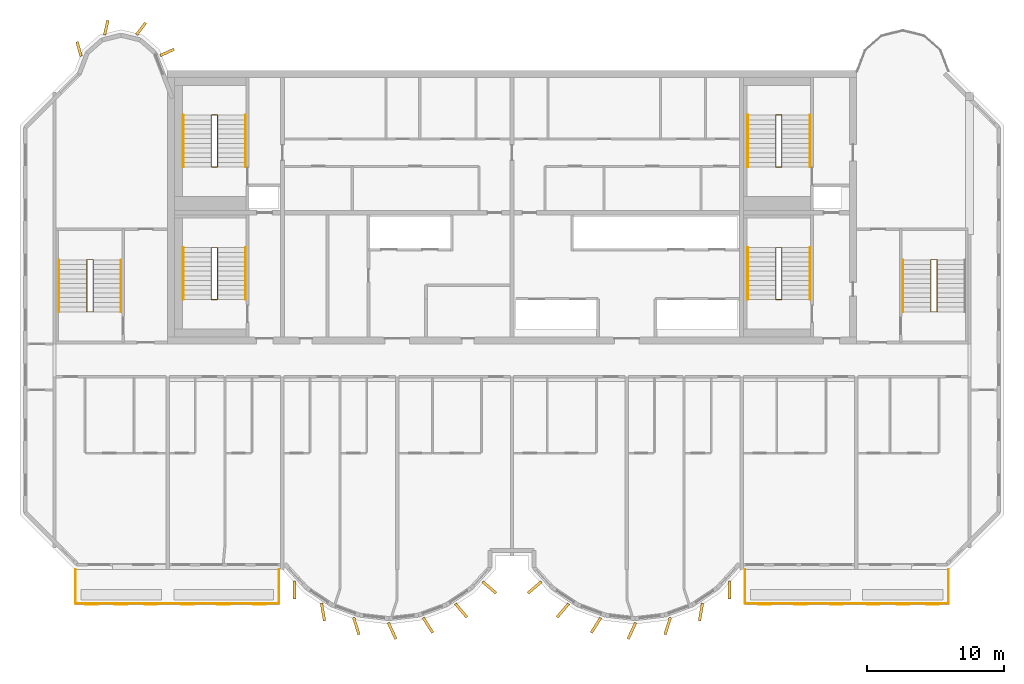
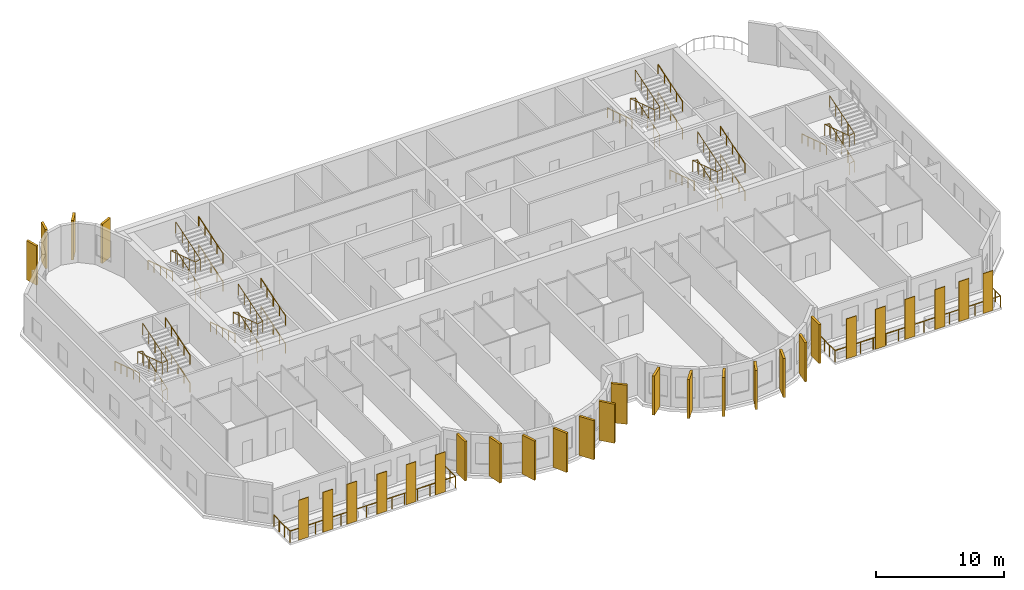
# One storey, part 10 of 12: 30 coverings, 24 railings.
"""IFC4 building model written with IfcOpenShell, lengths in metres."""

from ifc_helpers import new_model, si_unit, direction, frame, origin, origin_2d, place, context, subcontext, project, spatial, rectangle, circle, extrude, source, transform, mapped, material, layer, layer_set, material_profile, profile_set, type_object, element, save


model = new_model("IFC4")

# Units and contexts
model_context = context("Model", 3, precision=1e-05, world=origin(), true_north=direction((0.0, 1.0)))
body_context = subcontext(model_context, "Body", "Model", "MODEL_VIEW")
ifc_project = project(units=[si_unit("LENGTHUNIT", "METRE"), si_unit("AREAUNIT", "SQUARE_METRE"), si_unit("VOLUMEUNIT", "CUBIC_METRE"), si_unit("PLANEANGLEUNIT", "RADIAN"), si_unit("MASSUNIT", "GRAM", prefix="KILO")], contexts=[model_context])

# Site, building, storey
site_placement = place(None, origin())
site = spatial("IfcSite", under=ifc_project, at=site_placement, CompositionType="ELEMENT")
building_placement = place(site_placement, origin())
building = spatial("IfcBuilding", under=site, at=building_placement, Name="Vanashikhar Sky Hotel", CompositionType="ELEMENT")
storey_placement = place(building_placement, frame((0.0, 0.0, 289.699951171875)))
storey = spatial("IfcBuildingStorey", under=building, at=storey_placement, Name="L69", CompositionType="ELEMENT", Elevation=289.699951171875)

# Railings
ifc_material_1 = material(Name="Stainless steel 316", Category="steel")
railing_type_1 = type_object("IfcRailingType", Name="Balcony guard 1100", PredefinedType="GUARDRAIL", material=ifc_material_1)
shared_shape_1 = source(origin(), body_context, "Body", "SweptSolid", [
    extrude(circle(Radius=0.02392578125, at=origin_2d()), frame((0.0, 0.0, 1.076171875), z_axis=(0.0, -1.0, 0.0), x_axis=(1.0, 0.0, 0.0)), (0.0, 0.0, 1.0), 2.5),
    extrude(circle(Radius=0.02392578125, at=origin_2d()), frame((0.0, -2.5, 1.076171875), z_axis=(1.0, 0.0, 0.0), x_axis=(0.0, 1.0, 0.0)), (0.0, 0.0, 1.0), 14.880126953125),
    extrude(circle(Radius=0.02392578125, at=origin_2d()), frame((14.880126953125, -2.5, 1.076171875), z_axis=(0.0, 1.0, 0.0), x_axis=(-1.0, 0.0, 0.0)), (0.0, 0.0, 1.0), 2.5),
    extrude(circle(Radius=0.02099609375, at=origin_2d()), origin(), (0.0, 0.0, 1.0), 1.052001953125),
    extrude(circle(Radius=0.02099609375, at=origin_2d()), frame((0.0, -0.833251953125, 0.0)), (0.0, 0.0, 1.0), 1.052001953125),
    extrude(circle(Radius=0.02099609375, at=origin_2d()), frame((0.0, -1.666748046875, 0.0)), (0.0, 0.0, 1.0), 1.052001953125),
    extrude(circle(Radius=0.02099609375, at=origin_2d()), frame((0.0, -2.5, 0.0)), (0.0, 0.0, 1.0), 1.052001953125),
    extrude(circle(Radius=0.02099609375, at=origin_2d()), frame((1.14453125, -2.5, 0.0)), (0.0, 0.0, 1.0), 1.052001953125),
    extrude(circle(Radius=0.02099609375, at=origin_2d()), frame((2.289306640625, -2.5, 0.0)), (0.0, 0.0, 1.0), 1.052001953125),
    extrude(circle(Radius=0.02099609375, at=origin_2d()), frame((3.433837890625, -2.5, 0.0)), (0.0, 0.0, 1.0), 1.052001953125),
    extrude(circle(Radius=0.02099609375, at=origin_2d()), frame((4.57861328125, -2.5, 0.0)), (0.0, 0.0, 1.0), 1.052001953125),
    extrude(circle(Radius=0.02099609375, at=origin_2d()), frame((5.72314453125, -2.5, 0.0)), (0.0, 0.0, 1.0), 1.052001953125),
    extrude(circle(Radius=0.02099609375, at=origin_2d()), frame((6.86767578125, -2.5, 0.0)), (0.0, 0.0, 1.0), 1.052001953125),
    extrude(circle(Radius=0.02099609375, at=origin_2d()), frame((8.012451171875, -2.5, 0.0)), (0.0, 0.0, 1.0), 1.052001953125),
    extrude(circle(Radius=0.02099609375, at=origin_2d()), frame((9.156982421875, -2.5, 0.0)), (0.0, 0.0, 1.0), 1.052001953125),
    extrude(circle(Radius=0.02099609375, at=origin_2d()), frame((10.301513671875, -2.5, 0.0)), (0.0, 0.0, 1.0), 1.052001953125),
    extrude(circle(Radius=0.02099609375, at=origin_2d()), frame((11.4462890625, -2.5, 0.0)), (0.0, 0.0, 1.0), 1.052001953125),
    extrude(circle(Radius=0.02099609375, at=origin_2d()), frame((12.5908203125, -2.5, 0.0)), (0.0, 0.0, 1.0), 1.052001953125),
    extrude(circle(Radius=0.02099609375, at=origin_2d()), frame((13.735595703125, -2.5, 0.0)), (0.0, 0.0, 1.0), 1.052001953125),
    extrude(circle(Radius=0.02099609375, at=origin_2d()), frame((14.880126953125, -2.5, 0.0)), (0.0, 0.0, 1.0), 1.052001953125),
    extrude(circle(Radius=0.02099609375, at=origin_2d()), frame((14.880126953125, -1.666748046875, 0.0)), (0.0, 0.0, 1.0), 1.052001953125),
    extrude(circle(Radius=0.02099609375, at=origin_2d()), frame((14.880126953125, -0.833251953125, 0.0)), (0.0, 0.0, 1.0), 1.052001953125),
    extrude(circle(Radius=0.02099609375, at=origin_2d()), frame((14.880126953125, 0.0, 0.0)), (0.0, 0.0, 1.0), 1.052001953125),
])
for number, where, name in (
    (1, (18.4599609375, 5.5, -0.050048828125), "Balcony guard"),
    (2, (67.4599609375, 5.5, -0.050048828125), "Balcony guard"),
):
    element("IfcRailing", number, at=place(storey_placement, frame(where)), inside=storey, type_object=railing_type_1, Name=name, PredefinedType="GUARDRAIL", context=body_context, shape_type="MappedRepresentation", body=[
        mapped(shared_shape_1, transform((0.0, 0.0, 0.0), scale=1.0)),
    ])

# Coverings
ifc_material_2 = material(Name="Terracotta", Category="masonry")
ifc_layer = layer(ifc_material_2, 0.06005859375)
ifc_layer_set = layer_set([ifc_layer], Name="Terracotta baguette screen")
covering_type_1 = type_object("IfcCoveringType", Name="Terracotta baguette screen", PredefinedType="CLADDING", material=ifc_layer_set)
shared_shape_2 = source(origin(), body_context, "Body", "SweptSolid", [
    extrude(rectangle(XDim=0.89990234375, YDim=0.06005859375, at=origin_2d()), origin(), (0.0, 0.0, 1.0), 3.800048828125),
])
for number, where, z_axis, x_axis, name in (
    (3, (19.63330078125, 2.929931640625, -0.0498046875), (0.0, 0.0, 1.0), (1.0, 0.0, 0.0), "Terracotta screen"),
    (4, (21.800048828125, 2.929931640625, -0.0498046875), (0.0, 0.0, 1.0), (1.0, 0.0, 0.0), "Terracotta screen"),
    (5, (23.966796875, 2.929931640625, -0.0498046875), (0.0, 0.0, 1.0), (1.0, 0.0, 0.0), "Terracotta screen"),
    (6, (26.666748046875, 2.929931640625, -0.0498046875), (0.0, 0.0, 1.0), (1.0, 0.0, 0.0), "Terracotta screen"),
    (7, (29.300048828125, 2.929931640625, -0.0498046875), (0.0, 0.0, 1.0), (1.0, 0.0, 0.0), "Terracotta screen"),
    (8, (31.933349609375, 2.929931640625, -0.0498046875), (0.0, 0.0, 1.0), (1.0, 0.0, 0.0), "Terracotta screen"),
    (9, (68.86669921875, 2.929931640625, -0.0498046875), (0.0, 0.0, 1.0), (1.0, 0.0, 0.0), "Terracotta screen"),
    (10, (71.5, 2.929931640625, -0.0498046875), (0.0, 0.0, 1.0), (1.0, 0.0, 0.0), "Terracotta screen"),
    (11, (74.13330078125, 2.929931640625, -0.0498046875), (0.0, 0.0, 1.0), (1.0, 0.0, 0.0), "Terracotta screen"),
    (12, (76.833251953125, 2.929931640625, -0.0498046875), (0.0, 0.0, 1.0), (1.0, 0.0, 0.0), "Terracotta screen"),
    (13, (79.0, 2.929931640625, -0.0498046875), (0.0, 0.0, 1.0), (1.0, 0.0, 0.0), "Terracotta screen"),
    (14, (81.166748046875, 2.929931640625, -0.0498046875), (0.0, 0.0, 1.0), (1.0, 0.0, 0.0), "Terracotta screen"),
):
    element("IfcCovering", number, at=place(storey_placement, frame(where, z_axis=z_axis, x_axis=x_axis)), inside=storey, type_object=covering_type_1, Name=name, PredefinedType="CLADDING", context=body_context, shape_type="MappedRepresentation", body=[
        mapped(shared_shape_2, transform((0.0, 0.0, 0.0), scale=1.0)),
    ])
ifc_material_3 = material(Name="Concrete M60 dark", Category="concrete")
ifc_material_profile_1 = material_profile(ifc_material_3, rectangle(XDim=1.300048828125, YDim=0.199951171875, at=origin_2d()))
ifc_profile_set_1 = profile_set([ifc_material_profile_1], Name="Fin 1300 x 200")
covering_type_2 = type_object("IfcCoveringType", Name="Fin 1300 x 200", PredefinedType="CLADDING", material=ifc_profile_set_1)
shared_shape_3 = source(origin(), body_context, "Body", "SweptSolid", [
    extrude(rectangle(XDim=1.300048828125, YDim=0.199951171875, at=origin_2d()), origin(), (0.0, 0.0, 1.0), 3.719970703125),
])
for number, where, z_axis, x_axis, name in (
    (15, (34.482421875, 3.992919921875, 0.0), (0.0, 0.0, 1.0), (0.011588726826, -0.999932848451, 0.0), "Fin F1-1"),
    (16, (36.572509765625, 2.3779296875, 0.0), (0.0, 0.0, 1.0), (0.16989991575, -0.985461322746, 0.0), "Fin F1-2"),
    (17, (39.00830078125, 1.35693359375, 0.0), (0.0, 0.0, 1.0), (0.303966551867, -0.952682704444, 0.0), "Fin F1-3"),
    (18, (41.63232421875, 1.00146484375, 0.0), (0.0, 0.0, 1.0), (0.422618261741, -0.906307787037, 0.0), "Fin F1-4"),
    (19, (44.251953125, 1.416015625, 0.0), (0.0, 0.0, 1.0), (0.534411358496, -0.845224526331, 0.0), "Fin F1-5"),
    (20, (46.676025390625, 2.5, 0.0), (0.0, 0.0, 1.0), (0.645697609467, -0.763593214433, 0.0), "Fin F1-6"),
    (21, (48.7412109375, 4.1845703125, 0.0), (0.0, 0.0, 1.0), (0.758543912032, -0.65162192529, 0.0), "Fin F1-7"),
    (22, (52.058837890625, 4.1845703125, 0.0), (0.0, 0.0, 1.0), (-0.758543912032, -0.65162192529, 0.0), "Fin F2-1"),
    (23, (54.123779296875, 2.5, 0.0), (0.0, 0.0, 1.0), (-0.645697609467, -0.763593214433, 0.0), "Fin F2-2"),
    (24, (56.547119140625, 1.416015625, 0.0), (0.0, 0.0, 1.0), (-0.534411358496, -0.845224526331, 0.0), "Fin F2-3"),
    (25, (59.16748046875, 1.00146484375, 0.0), (0.0, 0.0, 1.0), (-0.422618261741, -0.906307787037, 0.0), "Fin F2-4"),
    (26, (61.790771484375, 1.35693359375, 0.0), (0.0, 0.0, 1.0), (-0.303966551867, -0.952682704444, 0.0), "Fin F2-5"),
    (27, (64.2275390625, 2.3779296875, 0.0), (0.0, 0.0, 1.0), (-0.16989991575, -0.985461322746, 0.0), "Fin F2-6"),
    (28, (66.317626953125, 3.992919921875, 0.0), (0.0, 0.0, 1.0), (-0.011588726826, -0.999932848451, 0.0), "Fin F2-7"),
):
    element("IfcCovering", number, at=place(storey_placement, frame(where, z_axis=z_axis, x_axis=x_axis)), inside=storey, type_object=covering_type_2, Name=name, PredefinedType="CLADDING", context=body_context, shape_type="MappedRepresentation", body=[
        mapped(shared_shape_3, transform((0.0, 0.0, 0.0), scale=1.0)),
    ])
ifc_material_profile_2 = material_profile(ifc_material_3, rectangle(XDim=1.10009765625, YDim=0.199951171875, at=origin_2d()))
ifc_profile_set_2 = profile_set([ifc_material_profile_2], Name="Rear lobe fin 1100 x 200")
covering_type_3 = type_object("IfcCoveringType", Name="Rear lobe fin 1100 x 200", PredefinedType="CLADDING", material=ifc_profile_set_2)
shared_shape_4 = source(origin(), body_context, "Body", "SweptSolid", [
    extrude(rectangle(XDim=1.10009765625, YDim=0.199951171875, at=origin_2d()), origin(), (0.0, 0.0, 1.0), 3.719970703125),
])
for number, where, z_axis, x_axis, name in (
    (29, (18.720703125, 43.580078125, 0.0), (0.0, 0.0, 1.0), (-0.262711264409, 0.964874495234, 0.0), "Fin R1-1"),
    (30, (20.710205078125, 45.1455078125, 0.0), (0.0, 0.0, 1.0), (0.224644935864, 0.974440687159, 0.0), "Fin R1-2"),
    (31, (23.261962890625, 45.06640625, 0.0), (0.0, 0.0, 1.0), (0.602065892195, 0.798446404874, 0.0), "Fin R1-3"),
    (32, (25.169677734375, 43.33447265625, 0.0), (0.0, 0.0, 1.0), (0.908004291068, 0.418960866193, 0.0), "Fin R1-4"),
):
    element("IfcCovering", number, at=place(storey_placement, frame(where, z_axis=z_axis, x_axis=x_axis)), inside=storey, type_object=covering_type_3, Name=name, PredefinedType="CLADDING", context=body_context, shape_type="MappedRepresentation", body=[
        mapped(shared_shape_4, transform((0.0, 0.0, 0.0), scale=1.0)),
    ])

# Railings
ifc_material_4 = material(Name="Steel S355", Category="steel")
railing_type_2 = type_object("IfcRailingType", Name="Stair handrail 900", PredefinedType="HANDRAIL", material=ifc_material_4)
shared_shape_5 = source(origin(), body_context, "Body", "SweptSolid", [
    extrude(circle(Radius=0.02392578125, at=origin_2d()), frame((0.0, 0.0, 0.8759765625), z_axis=(0.0, 0.95197572919, 0.306173498254), x_axis=(-1.0, 0.0, 0.0)), (0.0, 0.0, 1.0), 3.99169921875),
    extrude(circle(Radius=0.02099609375, at=origin_2d()), origin(), (0.0, 0.0, 1.0), 0.851806640625),
    extrude(circle(Radius=0.02099609375, at=origin_2d()), frame((0.0, 0.949951171875, 0.3056640625)), (0.0, 0.0, 1.0), 0.851806640625),
    extrude(circle(Radius=0.02099609375, at=origin_2d()), frame((0.0, 1.89990234375, 0.611083984375)), (0.0, 0.0, 1.0), 0.851806640625),
    extrude(circle(Radius=0.02099609375, at=origin_2d()), frame((0.0, 2.85009765625, 0.91650390625)), (0.0, 0.0, 1.0), 0.851806640625),
    extrude(circle(Radius=0.02099609375, at=origin_2d()), frame((0.0, 3.800048828125, 1.22216796875)), (0.0, 0.0, 1.0), 0.851806640625),
])
for number, where, name in (
    (33, (30.89990234375, 25.25, 2.77783203125), "Exit stair 1 handrail"),
    (34, (72.199951171875, 25.25, 2.77783203125), "Exit stair 2 handrail"),
    (35, (30.89990234375, 34.949951171875, 2.77783203125), "Exit stair 5 handrail"),
    (36, (72.199951171875, 34.949951171875, 2.77783203125), "Exit stair 6 handrail"),
):
    element("IfcRailing", number, at=place(storey_placement, frame(where)), inside=storey, type_object=railing_type_2, Name=name, PredefinedType="HANDRAIL", context=body_context, shape_type="MappedRepresentation", body=[
        mapped(shared_shape_5, transform((0.0, 0.0, 0.0), scale=1.0)),
    ])
shared_shape_6 = source(origin(), body_context, "Body", "SweptSolid", [
    extrude(circle(Radius=0.02392578125, at=origin_2d()), frame((0.0, 0.0, 0.8759765625), z_axis=(0.0, -0.95197572919, 0.306173498254), x_axis=(1.0, 0.0, 0.0)), (0.0, 0.0, 1.0), 3.99169921875),
    extrude(circle(Radius=0.02099609375, at=origin_2d()), origin(), (0.0, 0.0, 1.0), 0.851806640625),
    extrude(circle(Radius=0.02099609375, at=origin_2d()), frame((0.0, -0.949951171875, 0.3056640625)), (0.0, 0.0, 1.0), 0.851806640625),
    extrude(circle(Radius=0.02099609375, at=origin_2d()), frame((0.0, -1.89990234375, 0.611083984375)), (0.0, 0.0, 1.0), 0.851806640625),
    extrude(circle(Radius=0.02099609375, at=origin_2d()), frame((0.0, -2.85009765625, 0.91650390625)), (0.0, 0.0, 1.0), 0.851806640625),
    extrude(circle(Radius=0.02099609375, at=origin_2d()), frame((0.0, -3.800048828125, 1.22216796875)), (0.0, 0.0, 1.0), 0.851806640625),
])
for number, where, name in (
    (37, (26.35009765625, 29.050048828125, 1.444580078125), "Exit stair 1 handrail"),
    (38, (67.64990234375, 29.050048828125, 1.444580078125), "Exit stair 2 handrail"),
    (39, (26.35009765625, 38.75, 1.444580078125), "Exit stair 5 handrail"),
    (40, (67.64990234375, 38.75, 1.444580078125), "Exit stair 6 handrail"),
):
    element("IfcRailing", number, at=place(storey_placement, frame(where)), inside=storey, type_object=railing_type_2, Name=name, PredefinedType="HANDRAIL", context=body_context, shape_type="MappedRepresentation", body=[
        mapped(shared_shape_6, transform((0.0, 0.0, 0.0), scale=1.0)),
    ])
railing_type_3 = type_object("IfcRailingType", Name="Stair guard 1100", PredefinedType="GUARDRAIL", material=ifc_material_4)
shared_shape_7 = source(origin(), body_context, "Body", "SweptSolid", [
    extrude(circle(Radius=0.02392578125, at=origin_2d()), frame((0.0, 0.0, 1.076171875), z_axis=(0.970881249867, 0.0, 0.239561262847), x_axis=(0.0, 1.0, 0.0)), (0.0, 0.0, 1.0), 0.463623046875),
    extrude(circle(Radius=0.02392578125, at=origin_2d()), frame((0.4501953125, 0.0, 1.18701171875), z_axis=(0.0, 0.95195790124, 0.306228924607), x_axis=(-1.0, 0.0, 0.0)), (0.0, 0.0, 1.0), 3.991943359375),
    extrude(circle(Radius=0.02392578125, at=origin_2d()), frame((0.4501953125, 3.800048828125, 2.40966796875), z_axis=(-0.970881249867, 0.0, 0.239561262847), x_axis=(0.0, -1.0, 0.0)), (0.0, 0.0, 1.0), 0.463623046875),
    extrude(circle(Radius=0.02392578125, at=origin_2d()), frame((0.0, 3.800048828125, 2.5205078125), z_axis=(0.0, -0.95197572919, 0.306173498254), x_axis=(1.0, 0.0, 0.0)), (0.0, 0.0, 1.0), 3.99169921875),
    extrude(circle(Radius=0.02392578125, at=origin_2d()), frame((0.0, 0.0, 3.74267578125), z_axis=(0.970881249867, 0.0, 0.239561262847), x_axis=(0.0, 1.0, 0.0)), (0.0, 0.0, 1.0), 0.463623046875),
    extrude(circle(Radius=0.02392578125, at=origin_2d()), frame((0.4501953125, 0.0, 3.85400390625), z_axis=(0.0, 0.95197572919, 0.306173498254), x_axis=(-1.0, 0.0, 0.0)), (0.0, 0.0, 1.0), 3.99169921875),
    extrude(circle(Radius=0.02099609375, at=origin_2d()), origin(), (0.0, 0.0, 1.0), 1.052001953125),
    extrude(circle(Radius=0.02099609375, at=origin_2d()), frame((0.4501953125, 0.0, 0.111083984375)), (0.0, 0.0, 1.0), 1.052001953125),
    extrude(circle(Radius=0.02099609375, at=origin_2d()), frame((0.4501953125, 0.949951171875, 0.416748046875)), (0.0, 0.0, 1.0), 1.052001953125),
    extrude(circle(Radius=0.02099609375, at=origin_2d()), frame((0.4501953125, 1.89990234375, 0.72216796875)), (0.0, 0.0, 1.0), 1.052001953125),
    extrude(circle(Radius=0.02099609375, at=origin_2d()), frame((0.4501953125, 2.85009765625, 1.02783203125)), (0.0, 0.0, 1.0), 1.052001953125),
    extrude(circle(Radius=0.02099609375, at=origin_2d()), frame((0.4501953125, 3.800048828125, 1.33349609375)), (0.0, 0.0, 1.0), 1.052001953125),
    extrude(circle(Radius=0.02099609375, at=origin_2d()), frame((0.0, 3.800048828125, 1.444580078125)), (0.0, 0.0, 1.0), 1.052001953125),
    extrude(circle(Radius=0.02099609375, at=origin_2d()), frame((0.0, 2.85009765625, 1.75)), (0.0, 0.0, 1.0), 1.052001953125),
    extrude(circle(Radius=0.02099609375, at=origin_2d()), frame((0.0, 1.89990234375, 2.0556640625)), (0.0, 0.0, 1.0), 1.052001953125),
    extrude(circle(Radius=0.02099609375, at=origin_2d()), frame((0.0, 0.949951171875, 2.361328125)), (0.0, 0.0, 1.0), 1.052001953125),
    extrude(circle(Radius=0.02099609375, at=origin_2d()), frame((0.0, 0.0, 2.666748046875)), (0.0, 0.0, 1.0), 1.052001953125),
    extrude(circle(Radius=0.02099609375, at=origin_2d()), frame((0.4501953125, 0.0, 2.77783203125)), (0.0, 0.0, 1.0), 1.052001953125),
    extrude(circle(Radius=0.02099609375, at=origin_2d()), frame((0.4501953125, 0.949951171875, 3.08349609375)), (0.0, 0.0, 1.0), 1.052001953125),
    extrude(circle(Radius=0.02099609375, at=origin_2d()), frame((0.4501953125, 1.89990234375, 3.388916015625)), (0.0, 0.0, 1.0), 1.052001953125),
    extrude(circle(Radius=0.02099609375, at=origin_2d()), frame((0.4501953125, 2.85009765625, 3.6943359375)), (0.0, 0.0, 1.0), 1.052001953125),
    extrude(circle(Radius=0.02099609375, at=origin_2d()), frame((0.4501953125, 3.800048828125, 4.0)), (0.0, 0.0, 1.0), 1.052001953125),
])
for number, where, name in (
    (41, (28.39990234375, 25.25, 0.0), "Exit stair 1 guard"),
    (42, (28.39990234375, 34.949951171875, 0.0), "Exit stair 5 guard"),
):
    element("IfcRailing", number, at=place(storey_placement, frame(where)), inside=storey, type_object=railing_type_3, Name=name, PredefinedType="GUARDRAIL", context=body_context, shape_type="MappedRepresentation", body=[
        mapped(shared_shape_7, transform((0.0, 0.0, 0.0), scale=1.0)),
    ])
shared_shape_8 = source(origin(), body_context, "Body", "SweptSolid", [
    extrude(circle(Radius=0.02392578125, at=origin_2d()), frame((0.0, 0.0, 0.8759765625), z_axis=(0.0, 0.95195790124, 0.306228924607), x_axis=(-1.0, 0.0, 0.0)), (0.0, 0.0, 1.0), 3.991943359375),
    extrude(circle(Radius=0.02099609375, at=origin_2d()), origin(), (0.0, 0.0, 1.0), 0.851806640625),
    extrude(circle(Radius=0.02099609375, at=origin_2d()), frame((0.0, 0.949951171875, 0.3056640625)), (0.0, 0.0, 1.0), 0.851806640625),
    extrude(circle(Radius=0.02099609375, at=origin_2d()), frame((0.0, 1.89990234375, 0.611328125)), (0.0, 0.0, 1.0), 0.851806640625),
    extrude(circle(Radius=0.02099609375, at=origin_2d()), frame((0.0, 2.85009765625, 0.916748046875)), (0.0, 0.0, 1.0), 0.851806640625),
    extrude(circle(Radius=0.02099609375, at=origin_2d()), frame((0.0, 3.800048828125, 1.222412109375)), (0.0, 0.0, 1.0), 0.851806640625),
])
for number, where, name in (
    (43, (30.89990234375, 25.25, 0.111083984375), "Exit stair 1 handrail"),
    (44, (72.199951171875, 25.25, 0.111083984375), "Exit stair 2 handrail"),
    (45, (30.89990234375, 34.949951171875, 0.111083984375), "Exit stair 5 handrail"),
    (46, (72.199951171875, 34.949951171875, 0.111083984375), "Exit stair 6 handrail"),
):
    element("IfcRailing", number, at=place(storey_placement, frame(where)), inside=storey, type_object=railing_type_2, Name=name, PredefinedType="HANDRAIL", context=body_context, shape_type="MappedRepresentation", body=[
        mapped(shared_shape_8, transform((0.0, 0.0, 0.0), scale=1.0)),
    ])
shared_shape_9 = source(origin(), body_context, "Body", "SweptSolid", [
    extrude(circle(Radius=0.02392578125, at=origin_2d()), frame((0.0, 0.0, 1.076171875), z_axis=(0.970851010584, 0.0, 0.239683781777), x_axis=(0.0, 1.0, 0.0)), (0.0, 0.0, 1.0), 0.46337890625),
    extrude(circle(Radius=0.02392578125, at=origin_2d()), frame((0.449951171875, 0.0, 1.18701171875), z_axis=(0.0, 0.95195790124, 0.306228924607), x_axis=(-1.0, 0.0, 0.0)), (0.0, 0.0, 1.0), 3.991943359375),
    extrude(circle(Radius=0.02392578125, at=origin_2d()), frame((0.449951171875, 3.800048828125, 2.40966796875), z_axis=(-0.970851010584, 0.0, 0.239683781777), x_axis=(0.0, -1.0, 0.0)), (0.0, 0.0, 1.0), 0.46337890625),
    extrude(circle(Radius=0.02392578125, at=origin_2d()), frame((0.0, 3.800048828125, 2.5205078125), z_axis=(0.0, -0.95197572919, 0.306173498254), x_axis=(1.0, 0.0, 0.0)), (0.0, 0.0, 1.0), 3.99169921875),
    extrude(circle(Radius=0.02392578125, at=origin_2d()), frame((0.0, 0.0, 3.74267578125), z_axis=(0.970851010584, 0.0, 0.239683781777), x_axis=(0.0, 1.0, 0.0)), (0.0, 0.0, 1.0), 0.46337890625),
    extrude(circle(Radius=0.02392578125, at=origin_2d()), frame((0.449951171875, 0.0, 3.85400390625), z_axis=(0.0, 0.95197572919, 0.306173498254), x_axis=(-1.0, 0.0, 0.0)), (0.0, 0.0, 1.0), 3.99169921875),
    extrude(circle(Radius=0.02099609375, at=origin_2d()), origin(), (0.0, 0.0, 1.0), 1.052001953125),
    extrude(circle(Radius=0.02099609375, at=origin_2d()), frame((0.449951171875, 0.0, 0.111083984375)), (0.0, 0.0, 1.0), 1.052001953125),
    extrude(circle(Radius=0.02099609375, at=origin_2d()), frame((0.449951171875, 0.949951171875, 0.416748046875)), (0.0, 0.0, 1.0), 1.052001953125),
    extrude(circle(Radius=0.02099609375, at=origin_2d()), frame((0.449951171875, 1.89990234375, 0.72216796875)), (0.0, 0.0, 1.0), 1.052001953125),
    extrude(circle(Radius=0.02099609375, at=origin_2d()), frame((0.449951171875, 2.85009765625, 1.02783203125)), (0.0, 0.0, 1.0), 1.052001953125),
    extrude(circle(Radius=0.02099609375, at=origin_2d()), frame((0.449951171875, 3.800048828125, 1.33349609375)), (0.0, 0.0, 1.0), 1.052001953125),
    extrude(circle(Radius=0.02099609375, at=origin_2d()), frame((0.0, 3.800048828125, 1.444580078125)), (0.0, 0.0, 1.0), 1.052001953125),
    extrude(circle(Radius=0.02099609375, at=origin_2d()), frame((0.0, 2.85009765625, 1.75)), (0.0, 0.0, 1.0), 1.052001953125),
    extrude(circle(Radius=0.02099609375, at=origin_2d()), frame((0.0, 1.89990234375, 2.0556640625)), (0.0, 0.0, 1.0), 1.052001953125),
    extrude(circle(Radius=0.02099609375, at=origin_2d()), frame((0.0, 0.949951171875, 2.361328125)), (0.0, 0.0, 1.0), 1.052001953125),
    extrude(circle(Radius=0.02099609375, at=origin_2d()), frame((0.0, 0.0, 2.666748046875)), (0.0, 0.0, 1.0), 1.052001953125),
    extrude(circle(Radius=0.02099609375, at=origin_2d()), frame((0.449951171875, 0.0, 2.77783203125)), (0.0, 0.0, 1.0), 1.052001953125),
    extrude(circle(Radius=0.02099609375, at=origin_2d()), frame((0.449951171875, 0.949951171875, 3.08349609375)), (0.0, 0.0, 1.0), 1.052001953125),
    extrude(circle(Radius=0.02099609375, at=origin_2d()), frame((0.449951171875, 1.89990234375, 3.388916015625)), (0.0, 0.0, 1.0), 1.052001953125),
    extrude(circle(Radius=0.02099609375, at=origin_2d()), frame((0.449951171875, 2.85009765625, 3.6943359375)), (0.0, 0.0, 1.0), 1.052001953125),
    extrude(circle(Radius=0.02099609375, at=origin_2d()), frame((0.449951171875, 3.800048828125, 4.0)), (0.0, 0.0, 1.0), 1.052001953125),
])
for number, where, name in (
    (47, (69.699951171875, 25.25, 0.0), "Exit stair 2 guard"),
    (48, (69.699951171875, 34.949951171875, 0.0), "Exit stair 6 guard"),
):
    element("IfcRailing", number, at=place(storey_placement, frame(where)), inside=storey, type_object=railing_type_3, Name=name, PredefinedType="GUARDRAIL", context=body_context, shape_type="MappedRepresentation", body=[
        mapped(shared_shape_9, transform((0.0, 0.0, 0.0), scale=1.0)),
    ])
shared_shape_10 = source(origin(), body_context, "Body", "SweptSolid", [
    extrude(circle(Radius=0.02392578125, at=origin_2d()), frame((0.0, 0.0, 0.8759765625), z_axis=(0.0, 0.951969995293, 0.306191325908), x_axis=(-1.0, 0.0, 0.0)), (0.0, 0.0, 1.0), 3.991455078125),
    extrude(circle(Radius=0.02099609375, at=origin_2d()), origin(), (0.0, 0.0, 1.0), 0.851806640625),
    extrude(circle(Radius=0.02099609375, at=origin_2d()), frame((0.0, 0.949951171875, 0.3056640625)), (0.0, 0.0, 1.0), 0.851806640625),
    extrude(circle(Radius=0.02099609375, at=origin_2d()), frame((0.0, 1.89990234375, 0.611083984375)), (0.0, 0.0, 1.0), 0.851806640625),
    extrude(circle(Radius=0.02099609375, at=origin_2d()), frame((0.0, 2.849853515625, 0.91650390625)), (0.0, 0.0, 1.0), 0.851806640625),
    extrude(circle(Radius=0.02099609375, at=origin_2d()), frame((0.0, 3.7998046875, 1.22216796875)), (0.0, 0.0, 1.0), 0.851806640625),
])
railing_1_placement = place(storey_placement, frame((21.800048828125, 24.35009765625, 2.77783203125)))
element("IfcRailing", 49, at=railing_1_placement, inside=storey, type_object=railing_type_2, Name="Exit stair 3 handrail", PredefinedType="HANDRAIL", context=body_context, shape_type="MappedRepresentation", body=[
    mapped(shared_shape_10, transform((0.0, 0.0, 0.0), scale=1.0)),
])
shared_shape_11 = source(origin(), body_context, "Body", "SweptSolid", [
    extrude(circle(Radius=0.02392578125, at=origin_2d()), frame((0.0, 0.0, 0.8759765625), z_axis=(0.0, -0.951969995293, 0.306191325908), x_axis=(1.0, 0.0, 0.0)), (0.0, 0.0, 1.0), 3.991455078125),
    extrude(circle(Radius=0.02099609375, at=origin_2d()), origin(), (0.0, 0.0, 1.0), 0.851806640625),
    extrude(circle(Radius=0.02099609375, at=origin_2d()), frame((0.0, -0.949951171875, 0.3056640625)), (0.0, 0.0, 1.0), 0.851806640625),
    extrude(circle(Radius=0.02099609375, at=origin_2d()), frame((0.0, -1.89990234375, 0.611083984375)), (0.0, 0.0, 1.0), 0.851806640625),
    extrude(circle(Radius=0.02099609375, at=origin_2d()), frame((0.0, -2.849853515625, 0.91650390625)), (0.0, 0.0, 1.0), 0.851806640625),
    extrude(circle(Radius=0.02099609375, at=origin_2d()), frame((0.0, -3.7998046875, 1.22216796875)), (0.0, 0.0, 1.0), 0.851806640625),
])
for number, where, name in (
    (50, (17.25, 28.14990234375, 1.444580078125), "Exit stair 3 handrail"),
    (51, (79.0, 28.14990234375, 1.444580078125), "Exit stair 4 handrail"),
):
    element("IfcRailing", number, at=place(storey_placement, frame(where)), inside=storey, type_object=railing_type_2, Name=name, PredefinedType="HANDRAIL", context=body_context, shape_type="MappedRepresentation", body=[
        mapped(shared_shape_11, transform((0.0, 0.0, 0.0), scale=1.0)),
    ])
shared_shape_12 = source(origin(), body_context, "Body", "SweptSolid", [
    extrude(circle(Radius=0.02392578125, at=origin_2d()), frame((0.0, 0.0, 1.076171875), z_axis=(0.970851010584, 0.0, 0.239683781777), x_axis=(0.0, 1.0, 0.0)), (0.0, 0.0, 1.0), 0.46337890625),
    extrude(circle(Radius=0.02392578125, at=origin_2d()), frame((0.449951171875, 0.0, 1.18701171875), z_axis=(0.0, 0.951952165375, 0.306246754821), x_axis=(-1.0, 0.0, 0.0)), (0.0, 0.0, 1.0), 3.99169921875),
    extrude(circle(Radius=0.02392578125, at=origin_2d()), frame((0.449951171875, 3.7998046875, 2.40966796875), z_axis=(-0.970851010584, 0.0, 0.239683781777), x_axis=(0.0, -1.0, 0.0)), (0.0, 0.0, 1.0), 0.46337890625),
    extrude(circle(Radius=0.02392578125, at=origin_2d()), frame((0.0, 3.7998046875, 2.5205078125), z_axis=(0.0, -0.951969995293, 0.306191325908), x_axis=(1.0, 0.0, 0.0)), (0.0, 0.0, 1.0), 3.991455078125),
    extrude(circle(Radius=0.02392578125, at=origin_2d()), frame((0.0, 0.0, 3.74267578125), z_axis=(0.970851010584, 0.0, 0.239683781777), x_axis=(0.0, 1.0, 0.0)), (0.0, 0.0, 1.0), 0.46337890625),
    extrude(circle(Radius=0.02392578125, at=origin_2d()), frame((0.449951171875, 0.0, 3.85400390625), z_axis=(0.0, 0.951969995293, 0.306191325908), x_axis=(-1.0, 0.0, 0.0)), (0.0, 0.0, 1.0), 3.991455078125),
    extrude(circle(Radius=0.02099609375, at=origin_2d()), origin(), (0.0, 0.0, 1.0), 1.052001953125),
    extrude(circle(Radius=0.02099609375, at=origin_2d()), frame((0.449951171875, 0.0, 0.111083984375)), (0.0, 0.0, 1.0), 1.052001953125),
    extrude(circle(Radius=0.02099609375, at=origin_2d()), frame((0.449951171875, 0.949951171875, 0.416748046875)), (0.0, 0.0, 1.0), 1.052001953125),
    extrude(circle(Radius=0.02099609375, at=origin_2d()), frame((0.449951171875, 1.89990234375, 0.72216796875)), (0.0, 0.0, 1.0), 1.052001953125),
    extrude(circle(Radius=0.02099609375, at=origin_2d()), frame((0.449951171875, 2.849853515625, 1.02783203125)), (0.0, 0.0, 1.0), 1.052001953125),
    extrude(circle(Radius=0.02099609375, at=origin_2d()), frame((0.449951171875, 3.7998046875, 1.33349609375)), (0.0, 0.0, 1.0), 1.052001953125),
    extrude(circle(Radius=0.02099609375, at=origin_2d()), frame((0.0, 3.7998046875, 1.444580078125)), (0.0, 0.0, 1.0), 1.052001953125),
    extrude(circle(Radius=0.02099609375, at=origin_2d()), frame((0.0, 2.849853515625, 1.75)), (0.0, 0.0, 1.0), 1.052001953125),
    extrude(circle(Radius=0.02099609375, at=origin_2d()), frame((0.0, 1.89990234375, 2.0556640625)), (0.0, 0.0, 1.0), 1.052001953125),
    extrude(circle(Radius=0.02099609375, at=origin_2d()), frame((0.0, 0.949951171875, 2.361328125)), (0.0, 0.0, 1.0), 1.052001953125),
    extrude(circle(Radius=0.02099609375, at=origin_2d()), frame((0.0, 0.0, 2.666748046875)), (0.0, 0.0, 1.0), 1.052001953125),
    extrude(circle(Radius=0.02099609375, at=origin_2d()), frame((0.449951171875, 0.0, 2.77783203125)), (0.0, 0.0, 1.0), 1.052001953125),
    extrude(circle(Radius=0.02099609375, at=origin_2d()), frame((0.449951171875, 0.949951171875, 3.08349609375)), (0.0, 0.0, 1.0), 1.052001953125),
    extrude(circle(Radius=0.02099609375, at=origin_2d()), frame((0.449951171875, 1.89990234375, 3.388916015625)), (0.0, 0.0, 1.0), 1.052001953125),
    extrude(circle(Radius=0.02099609375, at=origin_2d()), frame((0.449951171875, 2.849853515625, 3.6943359375)), (0.0, 0.0, 1.0), 1.052001953125),
    extrude(circle(Radius=0.02099609375, at=origin_2d()), frame((0.449951171875, 3.7998046875, 4.0)), (0.0, 0.0, 1.0), 1.052001953125),
])
for number, where, name in (
    (52, (19.300048828125, 24.35009765625, 0.0), "Exit stair 3 guard"),
    (53, (81.050048828125, 24.35009765625, 0.0), "Exit stair 4 guard"),
):
    element("IfcRailing", number, at=place(storey_placement, frame(where)), inside=storey, type_object=railing_type_3, Name=name, PredefinedType="GUARDRAIL", context=body_context, shape_type="MappedRepresentation", body=[
        mapped(shared_shape_12, transform((0.0, 0.0, 0.0), scale=1.0)),
    ])
shared_shape_13 = source(origin(), body_context, "Body", "SweptSolid", [
    extrude(circle(Radius=0.02392578125, at=origin_2d()), frame((0.0, 0.0, 0.8759765625), z_axis=(0.0, 0.951952165375, 0.306246754821), x_axis=(-1.0, 0.0, 0.0)), (0.0, 0.0, 1.0), 3.99169921875),
    extrude(circle(Radius=0.02099609375, at=origin_2d()), origin(), (0.0, 0.0, 1.0), 0.851806640625),
    extrude(circle(Radius=0.02099609375, at=origin_2d()), frame((0.0, 0.949951171875, 0.3056640625)), (0.0, 0.0, 1.0), 0.851806640625),
    extrude(circle(Radius=0.02099609375, at=origin_2d()), frame((0.0, 1.89990234375, 0.611328125)), (0.0, 0.0, 1.0), 0.851806640625),
    extrude(circle(Radius=0.02099609375, at=origin_2d()), frame((0.0, 2.849853515625, 0.916748046875)), (0.0, 0.0, 1.0), 0.851806640625),
    extrude(circle(Radius=0.02099609375, at=origin_2d()), frame((0.0, 3.7998046875, 1.222412109375)), (0.0, 0.0, 1.0), 0.851806640625),
])
railing_2_placement = place(storey_placement, frame((21.800048828125, 24.35009765625, 0.111083984375)))
element("IfcRailing", 54, at=railing_2_placement, inside=storey, type_object=railing_type_2, Name="Exit stair 3 handrail", PredefinedType="HANDRAIL", context=body_context, shape_type="MappedRepresentation", body=[
    mapped(shared_shape_13, transform((0.0, 0.0, 0.0), scale=1.0)),
])

save(model, "model.ifc")
